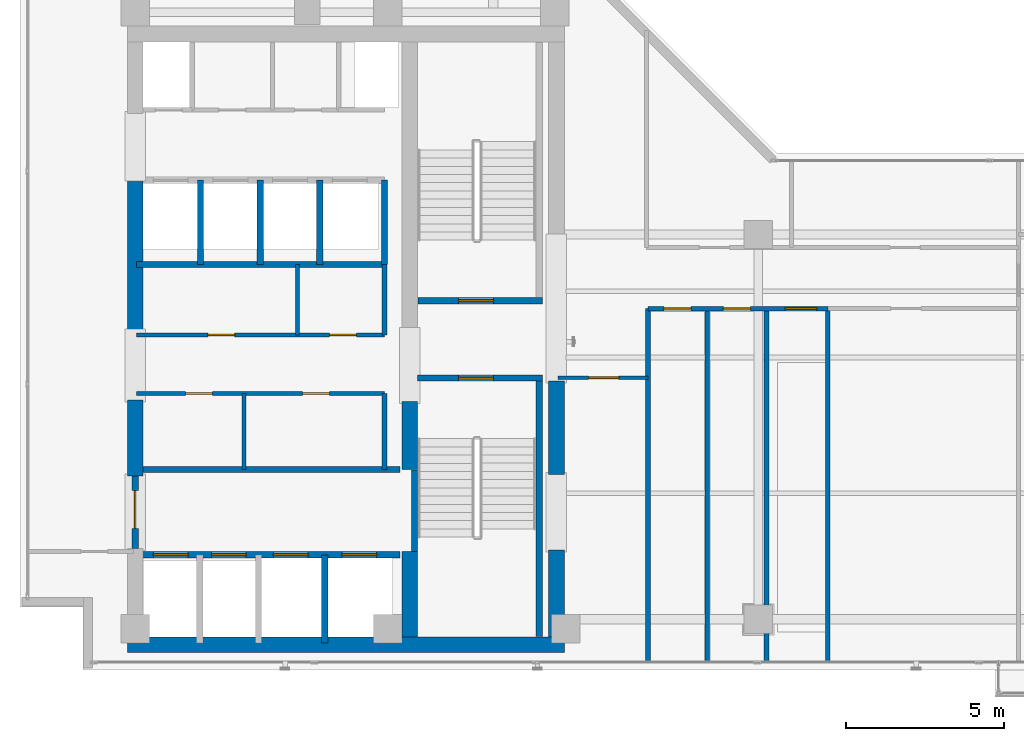
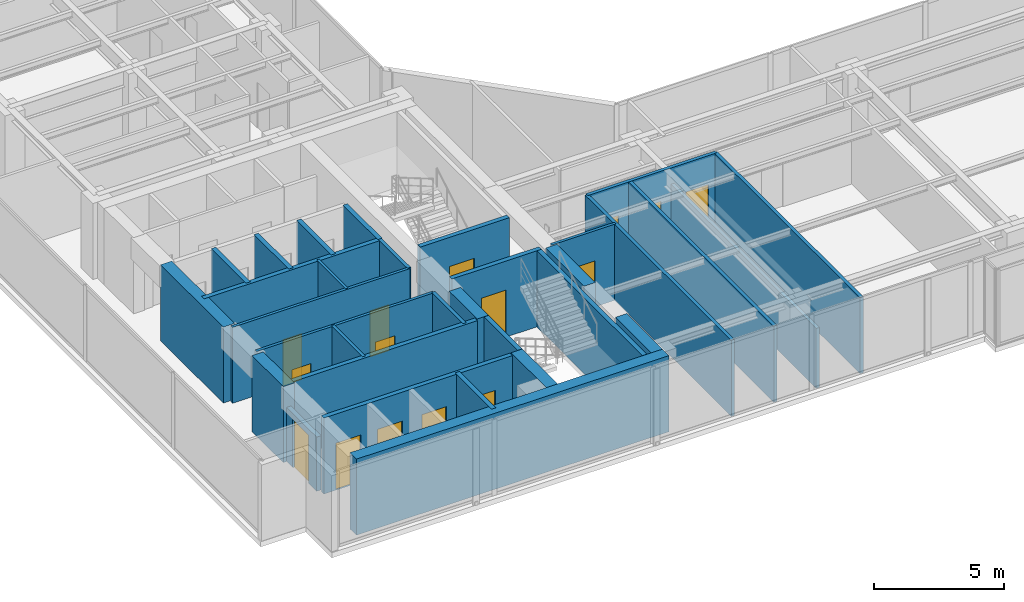
# One storey, part 17 of 23: 32 walls, 15 doors, 15 openings.
"""IFC4 building model written with IfcOpenShell, lengths in metres."""

from ifc_helpers import new_model, si_unit, direction, frame, frame_2d, origin, place, context, subcontext, project, spatial, rectangle, extrude, material, layer, layer_set, type_object, element, fill, save


model = new_model("IFC4")

# Units and contexts
model_context = context("Model", 3, precision=1e-05, world=origin(), true_north=direction((0.0, 1.0)))
body_context = subcontext(model_context, "Body", "Model", "MODEL_VIEW")
ifc_project = project(units=[si_unit("LENGTHUNIT", "METRE"), si_unit("AREAUNIT", "SQUARE_METRE"), si_unit("VOLUMEUNIT", "CUBIC_METRE"), si_unit("PLANEANGLEUNIT", "RADIAN"), si_unit("MASSUNIT", "GRAM", prefix="KILO")], contexts=[model_context])

# Site, building, storey
site_placement = place(None, origin())
site = spatial("IfcSite", under=ifc_project, at=site_placement, CompositionType="ELEMENT")
building_placement = place(site_placement, origin())
building = spatial("IfcBuilding", under=site, at=building_placement, Name="Kolvaren Waterfront Exchange", CompositionType="ELEMENT")
storey_placement = place(building_placement, frame((0.0, 0.0, 270.39990234375)))
storey = spatial("IfcBuildingStorey", under=building, at=storey_placement, Name="L69", CompositionType="ELEMENT", Elevation=270.39990234375)

# Wall, opening, door
ifc_material_1 = material(Name="Precast concrete C40/50", Category="concrete")
ifc_layer_1 = layer(ifc_material_1, 0.199951171875, Name="Precast concrete C40/50")
ifc_layer_set_1 = layer_set([ifc_layer_1], Name="Precast concrete C40/50")
wall_type_1 = type_object("IfcWallType", Name="ARC-FIRE-200", PredefinedType="PARTITIONING", material=ifc_layer_set_1)
wall_1_placement = place(storey_placement, frame((16.39990234375, 12.85009765625, 0.0), z_axis=(0.0, 0.0, 1.0), x_axis=(1.0, 0.0, 0.0)))
wall_1 = element("IfcWall", 1, at=wall_1_placement, inside=storey, type_object=wall_type_1, Name="L69 interior wall PW-L69-ST1-THROAT-S", PredefinedType="PARTITIONING", context=body_context, shape_type="SweptSolid", body=[
    extrude(rectangle(XDim=3.960205078125, YDim=0.199951171875, at=frame_2d((1.97998046875, 0.0))), origin(), (0.0, 0.0, 1.0), 3.56005859375),
])
opening_1_placement = place(wall_1_placement, frame((1.3037109375, 0.0, 0.0)))
opening_1 = element("IfcOpeningElement", 2, at=opening_1_placement, cuts=wall_1, Name="Opening FD2", PredefinedType="OPENING", context=body_context, shape_type="SweptSolid", body=[
    extrude(rectangle(XDim=1.10009765625, YDim=2.199951171875, at=frame_2d((0.550048828125, 1.10009765625))), frame((0.0, 0.10986328125, 0.0), z_axis=(0.0, -1.0, 0.0), x_axis=(1.0, 0.0, 0.0)), (0.0, 0.0, 1.0), 0.219970703125),
])
ifc_material_2 = material(Name="Pressed steel smoke-seal fire door", Category="steel")
door_type_1 = type_object("IfcDoorType", Name="ARC-FD-1100", OperationType="NOTDEFINED", PredefinedType="DOOR", material=ifc_material_2)
door_1_placement = place(opening_1_placement, frame((1.10009765625, 0.0, 0.0), z_axis=(0.0, 0.0, 1.0), x_axis=(-1.0, 0.0, 0.0)))
door_1 = element("IfcDoor", 3, at=door_1_placement, inside=storey, type_object=door_type_1, Name="L69 door DR-L69-ST1-IN (FD2)", OperationType="SINGLE_SWING_LEFT", OverallHeight=2.199951171875, OverallWidth=1.10009765625, PredefinedType="DOOR", context=body_context, shape_type="SweptSolid", body=[
    extrude(rectangle(XDim=1.10009765625, YDim=2.199951171875, at=frame_2d((0.550048828125, 1.10009765625))), frame((0.0, 0.02490234375, 0.0), z_axis=(0.0, -1.0, 0.0), x_axis=(1.0, 0.0, 0.0)), (0.0, 0.0, 1.0), 0.050048828125),
])
fill(opening_1, door_1)

wall_2_placement = place(storey_placement, frame((16.409912109375, 15.300048828125, 0.0), z_axis=(0.0, 0.0, 1.0), x_axis=(1.0, 0.0, 0.0)))
wall_2 = element("IfcWall", 4, at=wall_2_placement, inside=storey, type_object=wall_type_1, Name="L69 interior wall PW-L69-ST2-THROAT-N", PredefinedType="PARTITIONING", context=body_context, shape_type="SweptSolid", body=[
    extrude(rectangle(XDim=3.9501953125, YDim=0.199951171875, at=frame_2d((1.97509765625, 0.0))), origin(), (0.0, 0.0, 1.0), 3.56005859375),
])
opening_2_placement = place(wall_2_placement, frame((1.293701171875, 0.0, 0.0)))
opening_2 = element("IfcOpeningElement", 5, at=opening_2_placement, cuts=wall_2, Name="Opening FD2", PredefinedType="OPENING", context=body_context, shape_type="SweptSolid", body=[
    extrude(rectangle(XDim=1.10009765625, YDim=2.199951171875, at=frame_2d((0.550048828125, 1.10009765625))), frame((0.0, 0.10986328125, 0.0), z_axis=(0.0, -1.0, 0.0), x_axis=(1.0, 0.0, 0.0)), (0.0, 0.0, 1.0), 0.219970703125),
])
door_2_placement = place(opening_2_placement, origin())
door_2 = element("IfcDoor", 6, at=door_2_placement, inside=storey, type_object=door_type_1, Name="L69 door DR-L69-ST2-IN (FD2)", OperationType="SINGLE_SWING_RIGHT", OverallHeight=2.199951171875, OverallWidth=1.10009765625, PredefinedType="DOOR", context=body_context, shape_type="SweptSolid", body=[
    extrude(rectangle(XDim=1.10009765625, YDim=2.199951171875, at=frame_2d((0.550048828125, 1.10009765625))), frame((0.0, 0.02490234375, 0.0), z_axis=(0.0, -1.0, 0.0), x_axis=(1.0, 0.0, 0.0)), (0.0, 0.0, 1.0), 0.050048828125),
])
fill(opening_2, door_2)

# Wall
wall_3_placement = place(storey_placement, frame((7.5, 9.949951171875, 0.0), z_axis=(0.0, 0.0, 1.0), x_axis=(1.0, 0.0, 0.0)))
element("IfcWall", 7, at=wall_3_placement, inside=storey, type_object=wall_type_1, Name="L69 interior wall PW-L69-FF-N", PredefinedType="PARTITIONING", context=body_context, shape_type="SweptSolid", body=[
    extrude(rectangle(XDim=8.35009765625, YDim=0.199951171875, at=frame_2d((4.175048828125, 0.0))), origin(), (0.0, 0.0, 1.0), 3.56005859375),
])

# Wall, opening, door
wall_4_placement = place(storey_placement, frame((7.449951171875, 7.449951171875, 0.0), z_axis=(0.0, 0.0, 1.0), x_axis=(0.0, 1.0, 0.0)))
wall_4 = element("IfcWall", 8, at=wall_4_placement, inside=storey, type_object=wall_type_1, Name="L69 interior wall PW-L69-FF-W-DOOR", PredefinedType="PARTITIONING", context=body_context, shape_type="SweptSolid", body=[
    extrude(rectangle(XDim=2.300048828125, YDim=0.199951171875, at=frame_2d((1.14990234375, 0.0))), origin(), (0.0, 0.0, 1.0), 2.5400390625),
])
opening_3_placement = place(wall_4_placement, frame((0.63330078125, 0.0, 0.0)))
opening_3 = element("IfcOpeningElement", 9, at=opening_3_placement, cuts=wall_4, Name="Opening FD3", PredefinedType="OPENING", context=body_context, shape_type="SweptSolid", body=[
    extrude(rectangle(XDim=1.199951171875, YDim=2.25, at=frame_2d((0.60009765625, 1.125))), frame((0.0, 0.10986328125, 0.0), z_axis=(0.0, -1.0, 0.0), x_axis=(1.0, 0.0, 0.0)), (0.0, 0.0, 1.0), 0.219970703125),
])
ifc_material_3 = material(Name="Pressed steel fire door", Category="steel")
door_type_2 = type_object("IfcDoorType", Name="ARC-FD-1200", OperationType="NOTDEFINED", PredefinedType="DOOR", material=ifc_material_3)
door_3_placement = place(opening_3_placement, frame((1.199951171875, 0.0, 0.0), z_axis=(0.0, 0.0, 1.0), x_axis=(-1.0, 0.0, 0.0)))
door_3 = element("IfcDoor", 10, at=door_3_placement, inside=storey, type_object=door_type_2, Name="L69 door DR-L69-FF-OUT (FD3)", OperationType="SINGLE_SWING_LEFT", OverallHeight=2.25, OverallWidth=1.199951171875, PredefinedType="DOOR", context=body_context, shape_type="SweptSolid", body=[
    extrude(rectangle(XDim=1.199951171875, YDim=2.25, at=frame_2d((0.60009765625, 1.125))), frame((0.0, 0.02490234375, 0.0), z_axis=(0.0, -1.0, 0.0), x_axis=(1.0, 0.0, 0.0)), (0.0, 0.0, 1.0), 0.050048828125),
])
fill(opening_3, door_3)

# Wall, openings, doors
ifc_material_4 = material(Name="Acoustic gypsum steel stud", Category="steel")
ifc_layer_2 = layer(ifc_material_4, 0.125, Name="Acoustic gypsum steel stud")
ifc_layer_set_2 = layer_set([ifc_layer_2], Name="Acoustic gypsum steel stud")
wall_type_2 = type_object("IfcWallType", Name="ARC-PART-125", PredefinedType="PARTITIONING", material=ifc_layer_set_2)
wall_5_placement = place(storey_placement, frame((7.5, 12.360107421875, 0.0), z_axis=(0.0, 0.0, 1.0), x_axis=(1.0, 0.0, 0.0)))
wall_5 = element("IfcWall", 11, at=wall_5_placement, inside=storey, type_object=wall_type_2, Name="L69 interior wall PW-L69-REC-HI-S", PredefinedType="PARTITIONING", context=body_context, shape_type="SweptSolid", body=[
    extrude(rectangle(XDim=7.85009765625, YDim=0.125, at=frame_2d((3.925048828125, 0.0))), origin(), (0.0, 0.0, 1.0), 3.56005859375),
])
opening_4_placement = place(wall_5_placement, frame((1.550048828125, 0.0, 0.0)))
opening_4 = element("IfcOpeningElement", 12, at=opening_4_placement, cuts=wall_5, Name="Opening D01", PredefinedType="OPENING", context=body_context, shape_type="SweptSolid", body=[
    extrude(rectangle(XDim=0.85009765625, YDim=2.14990234375, at=frame_2d((0.425048828125, 1.074951171875))), frame((0.0, 0.072509765625, 0.0), z_axis=(0.0, -1.0, 0.0), x_axis=(1.0, 0.0, 0.0)), (0.0, 0.0, 1.0), 0.14501953125),
])
opening_5_placement = place(wall_5_placement, frame((5.2578125, 0.0, 0.0)))
opening_5 = element("IfcOpeningElement", 13, at=opening_5_placement, cuts=wall_5, Name="Opening D01", PredefinedType="OPENING", context=body_context, shape_type="SweptSolid", body=[
    extrude(rectangle(XDim=0.85009765625, YDim=2.14990234375, at=frame_2d((0.425048828125, 1.074951171875))), frame((0.0, 0.072509765625, 0.0), z_axis=(0.0, -1.0, 0.0), x_axis=(1.0, 0.0, 0.0)), (0.0, 0.0, 1.0), 0.14501953125),
])
ifc_material_5 = material(Name="Oak veneer timber leaf", Category="wood")
door_type_3 = type_object("IfcDoorType", Name="ARC-DR-900", OperationType="NOTDEFINED", PredefinedType="DOOR", material=ifc_material_5)
door_4_placement = place(opening_4_placement, origin())
door_4 = element("IfcDoor", 14, at=door_4_placement, inside=storey, type_object=door_type_3, Name="L69 door DR-L69-REC-HI-D1 (D01)", OperationType="SINGLE_SWING_RIGHT", OverallHeight=2.14990234375, OverallWidth=0.85009765625, PredefinedType="DOOR", context=body_context, shape_type="SweptSolid", body=[
    extrude(rectangle(XDim=0.85009765625, YDim=2.14990234375, at=frame_2d((0.425048828125, 1.074951171875))), frame((0.0, 0.02490234375, 0.0), z_axis=(0.0, -1.0, 0.0), x_axis=(1.0, 0.0, 0.0)), (0.0, 0.0, 1.0), 0.050048828125),
])
fill(opening_4, door_4)
door_5_placement = place(opening_5_placement, origin())
door_5 = element("IfcDoor", 15, at=door_5_placement, inside=storey, type_object=door_type_3, Name="L69 door DR-L69-REC-HI-D2 (D01)", OperationType="SINGLE_SWING_LEFT", OverallHeight=2.14990234375, OverallWidth=0.85009765625, PredefinedType="DOOR", context=body_context, shape_type="SweptSolid", body=[
    extrude(rectangle(XDim=0.85009765625, YDim=2.14990234375, at=frame_2d((0.425048828125, 1.074951171875))), frame((0.0, 0.02490234375, 0.0), z_axis=(0.0, -1.0, 0.0), x_axis=(1.0, 0.0, 0.0)), (0.0, 0.0, 1.0), 0.050048828125),
])
fill(opening_5, door_5)

wall_6_placement = place(storey_placement, frame((7.5, 14.219970703125, 0.0), z_axis=(0.0, 0.0, 1.0), x_axis=(1.0, 0.0, 0.0)))
wall_6 = element("IfcWall", 16, at=wall_6_placement, inside=storey, type_object=wall_type_2, Name="L69 interior wall PW-L69-REC-HI-N", PredefinedType="PARTITIONING", context=body_context, shape_type="SweptSolid", body=[
    extrude(rectangle(XDim=7.85009765625, YDim=0.125, at=frame_2d((3.925048828125, 0.0))), origin(), (0.0, 0.0, 1.0), 3.56005859375),
])
opening_6_placement = place(wall_6_placement, frame((2.25244140625, 0.0, 0.0)))
opening_6 = element("IfcOpeningElement", 17, at=opening_6_placement, cuts=wall_6, Name="Opening D01", PredefinedType="OPENING", context=body_context, shape_type="SweptSolid", body=[
    extrude(rectangle(XDim=0.85009765625, YDim=2.14990234375, at=frame_2d((0.425048828125, 1.074951171875))), frame((0.0, 0.072509765625, 0.0), z_axis=(0.0, -1.0, 0.0), x_axis=(1.0, 0.0, 0.0)), (0.0, 0.0, 1.0), 0.14501953125),
])
opening_7_placement = place(wall_6_placement, frame((6.111328125, 0.0, 0.0)))
opening_7 = element("IfcOpeningElement", 18, at=opening_7_placement, cuts=wall_6, Name="Opening D01", PredefinedType="OPENING", context=body_context, shape_type="SweptSolid", body=[
    extrude(rectangle(XDim=0.85009765625, YDim=2.14990234375, at=frame_2d((0.425048828125, 1.074951171875))), frame((0.0, 0.072509765625, 0.0), z_axis=(0.0, -1.0, 0.0), x_axis=(1.0, 0.0, 0.0)), (0.0, 0.0, 1.0), 0.14501953125),
])
door_6_placement = place(opening_6_placement, origin())
door_6 = element("IfcDoor", 19, at=door_6_placement, inside=storey, type_object=door_type_3, Name="L69 door DR-L69-REC-HI-D3 (D01)", OperationType="SINGLE_SWING_RIGHT", OverallHeight=2.14990234375, OverallWidth=0.85009765625, PredefinedType="DOOR", context=body_context, shape_type="SweptSolid", body=[
    extrude(rectangle(XDim=0.85009765625, YDim=2.14990234375, at=frame_2d((0.425048828125, 1.074951171875))), frame((0.0, 0.02490234375, 0.0), z_axis=(0.0, -1.0, 0.0), x_axis=(1.0, 0.0, 0.0)), (0.0, 0.0, 1.0), 0.050048828125),
])
fill(opening_6, door_6)
door_7_placement = place(opening_7_placement, origin())
door_7 = element("IfcDoor", 20, at=door_7_placement, inside=storey, type_object=door_type_3, Name="L69 door DR-L69-REC-HI-D4 (D01)", OperationType="SINGLE_SWING_LEFT", OverallHeight=2.14990234375, OverallWidth=0.85009765625, PredefinedType="DOOR", context=body_context, shape_type="SweptSolid", body=[
    extrude(rectangle(XDim=0.85009765625, YDim=2.14990234375, at=frame_2d((0.425048828125, 1.074951171875))), frame((0.0, 0.02490234375, 0.0), z_axis=(0.0, -1.0, 0.0), x_axis=(1.0, 0.0, 0.0)), (0.0, 0.0, 1.0), 0.050048828125),
])
fill(opening_7, door_7)

# Walls
wall_7_placement = place(storey_placement, frame((10.89990234375, 9.949951171875, 0.0), z_axis=(0.0, 0.0, 1.0), x_axis=(0.0, 1.0, 0.0)))
element("IfcWall", 21, at=wall_7_placement, inside=storey, type_object=wall_type_2, Name="L69 interior wall PW-L69-REC-HI-MS3", PredefinedType="PARTITIONING", context=body_context, shape_type="SweptSolid", body=[
    extrude(rectangle(XDim=2.41015625, YDim=0.125, at=frame_2d((1.205078125, 0.0))), origin(), (0.0, 0.0, 1.0), 3.56005859375),
])
wall_8_placement = place(storey_placement, frame((12.60009765625, 14.219970703125, 0.0), z_axis=(0.0, 0.0, 1.0), x_axis=(0.0, 1.0, 0.0)))
element("IfcWall", 22, at=wall_8_placement, inside=storey, type_object=wall_type_2, Name="L69 interior wall PW-L69-REC-HI-MN3", PredefinedType="PARTITIONING", context=body_context, shape_type="SweptSolid", body=[
    extrude(rectangle(XDim=2.22998046875, YDim=0.125, at=frame_2d((1.114990234375, 0.0))), origin(), (0.0, 0.0, 1.0), 3.56005859375),
])

# Wall, opening, door
wall_9_placement = place(storey_placement, frame((20.85009765625, 12.860107421875, 0.0), z_axis=(0.0, 0.0, 1.0), x_axis=(1.0, 0.0, 0.0)))
wall_9 = element("IfcWall", 23, at=wall_9_placement, inside=storey, type_object=wall_type_2, Name="L69 interior wall PW-L69-SWST3-N", PredefinedType="PARTITIONING", context=body_context, shape_type="SweptSolid", body=[
    extrude(rectangle(XDim=2.849853515625, YDim=0.125, at=frame_2d((1.4248046875, 0.0))), origin(), (0.0, 0.0, 1.0), 3.56005859375),
])
opening_8_placement = place(wall_9_placement, frame((0.971435546875, 0.0, 0.0)))
opening_8 = element("IfcOpeningElement", 24, at=opening_8_placement, cuts=wall_9, Name="Opening D02", PredefinedType="OPENING", context=body_context, shape_type="SweptSolid", body=[
    extrude(rectangle(XDim=0.949951171875, YDim=2.14990234375, at=frame_2d((0.47509765625, 1.074951171875))), frame((0.0, 0.072509765625, 0.0), z_axis=(0.0, -1.0, 0.0), x_axis=(1.0, 0.0, 0.0)), (0.0, 0.0, 1.0), 0.14501953125),
])
ifc_material_6 = material(Name="Oak veneer acoustic timber", Category="wood")
door_type_4 = type_object("IfcDoorType", Name="ARC-DR-950", OperationType="NOTDEFINED", PredefinedType="DOOR", material=ifc_material_6)
door_8_placement = place(opening_8_placement, origin())
door_8 = element("IfcDoor", 25, at=door_8_placement, inside=storey, type_object=door_type_4, Name="L69 door DR-L69-SWST3-D (D02)", OperationType="SINGLE_SWING_LEFT", OverallHeight=2.14990234375, OverallWidth=0.949951171875, PredefinedType="DOOR", context=body_context, shape_type="SweptSolid", body=[
    extrude(rectangle(XDim=0.949951171875, YDim=2.14990234375, at=frame_2d((0.47509765625, 1.074951171875))), frame((0.0, 0.02490234375, 0.0), z_axis=(0.0, -1.0, 0.0), x_axis=(1.0, 0.0, 0.0)), (0.0, 0.0, 1.0), 0.050048828125),
])
fill(opening_8, door_8)

# Walls
ifc_material_7 = material(Name="Gypsum fireboard steel stud", Category="steel")
ifc_layer_3 = layer(ifc_material_7, 0.14990234375, Name="Gypsum fireboard steel stud")
ifc_layer_set_3 = layer_set([ifc_layer_3], Name="Gypsum fireboard steel stud")
wall_type_3 = type_object("IfcWallType", Name="ARC-PART-150", PredefinedType="PARTITIONING", material=ifc_layer_set_3)
wall_10_placement = place(storey_placement, frame((15.35009765625, 9.949951171875, 0.0), z_axis=(0.0, 0.0, 1.0), x_axis=(0.0, 1.0, 0.0)))
element("IfcWall", 26, at=wall_10_placement, inside=storey, type_object=wall_type_3, Name="L69 interior wall PW-L69-REC-HI-E1", PredefinedType="PARTITIONING", context=body_context, shape_type="SweptSolid", body=[
    extrude(rectangle(XDim=2.41015625, YDim=0.14990234375, at=frame_2d((1.205078125, 0.0))), origin(), (0.0, 0.0, 1.0), 3.56005859375),
])
wall_11_placement = place(storey_placement, frame((15.35009765625, 14.219970703125, 0.0), z_axis=(0.0, 0.0, 1.0), x_axis=(0.0, 1.0, 0.0)))
element("IfcWall", 27, at=wall_11_placement, inside=storey, type_object=wall_type_3, Name="L69 interior wall PW-L69-REC-HI-E2", PredefinedType="PARTITIONING", context=body_context, shape_type="SweptSolid", body=[
    extrude(rectangle(XDim=2.22998046875, YDim=0.14990234375, at=frame_2d((1.114990234375, 0.0))), origin(), (0.0, 0.0, 1.0), 3.56005859375),
])
ifc_material_8 = material(Name="Moisture-resistant gypsum stud")
ifc_layer_4 = layer(ifc_material_8, 0.14990234375, Name="Moisture-resistant gypsum stud")
ifc_layer_set_4 = layer_set([ifc_layer_4], Name="Moisture-resistant gypsum stud")
wall_type_4 = type_object("IfcWallType", Name="ARC-PLUMB-150", PredefinedType="PLUMBINGWALL", material=ifc_layer_set_4)
wall_12_placement = place(storey_placement, frame((23.699951171875, 3.840087890625, 0.0), z_axis=(0.0, 0.0, 1.0), x_axis=(0.0, 1.0, 0.0)))
element("IfcWall", 28, at=wall_12_placement, inside=storey, type_object=wall_type_4, Name="L69 interior wall PW-L69-WC-0", PredefinedType="PLUMBINGWALL", context=body_context, shape_type="SweptSolid", body=[
    extrude(rectangle(XDim=11.2099609375, YDim=0.14990234375, at=frame_2d((5.60498046875, 0.0))), origin(), (0.0, 0.0, 1.0), 3.56005859375),
])

# Wall, openings, doors
wall_13_placement = place(storey_placement, frame((23.699951171875, 15.050048828125, 0.0), z_axis=(0.0, 0.0, 1.0), x_axis=(1.0, 0.0, 0.0)))
wall_13 = element("IfcWall", 29, at=wall_13_placement, inside=storey, type_object=wall_type_4, Name="L69 interior wall PW-L69-WC-N", PredefinedType="PLUMBINGWALL", context=body_context, shape_type="SweptSolid", body=[
    extrude(rectangle(XDim=5.699951171875, YDim=0.14990234375, at=frame_2d((2.85009765625, 0.0))), origin(), (0.0, 0.0, 1.0), 3.56005859375),
])
opening_9_placement = place(wall_13_placement, frame((0.514892578125, 0.0, 0.0)))
opening_9 = element("IfcOpeningElement", 30, at=opening_9_placement, cuts=wall_13, Name="Opening D01", PredefinedType="OPENING", context=body_context, shape_type="SweptSolid", body=[
    extrude(rectangle(XDim=0.85009765625, YDim=2.14990234375, at=frame_2d((0.425048828125, 1.074951171875))), frame((0.0, 0.0849609375, 0.0), z_axis=(0.0, -1.0, 0.0), x_axis=(1.0, 0.0, 0.0)), (0.0, 0.0, 1.0), 0.169921875),
])
opening_10_placement = place(wall_13_placement, frame((2.39501953125, 0.0, 0.0)))
opening_10 = element("IfcOpeningElement", 31, at=opening_10_placement, cuts=wall_13, Name="Opening D01", PredefinedType="OPENING", context=body_context, shape_type="SweptSolid", body=[
    extrude(rectangle(XDim=0.85009765625, YDim=2.14990234375, at=frame_2d((0.425048828125, 1.074951171875))), frame((0.0, 0.0849609375, 0.0), z_axis=(0.0, -1.0, 0.0), x_axis=(1.0, 0.0, 0.0)), (0.0, 0.0, 1.0), 0.169921875),
])
opening_11_placement = place(wall_13_placement, frame((4.35009765625, 0.0, 0.0)))
opening_11 = element("IfcOpeningElement", 32, at=opening_11_placement, cuts=wall_13, Name="Opening D03", PredefinedType="OPENING", context=body_context, shape_type="SweptSolid", body=[
    extrude(rectangle(XDim=1.0, YDim=2.199951171875, at=frame_2d((0.5, 1.10009765625))), frame((0.0, 0.0849609375, 0.0), z_axis=(0.0, -1.0, 0.0), x_axis=(1.0, 0.0, 0.0)), (0.0, 0.0, 1.0), 0.169921875),
])
ifc_material_9 = material(Name="Oak veneer accessible timber", Category="wood")
door_type_5 = type_object("IfcDoorType", Name="ARC-DR-1000", OperationType="NOTDEFINED", PredefinedType="DOOR", material=ifc_material_9)
door_9_placement = place(opening_11_placement, origin())
door_9 = element("IfcDoor", 33, at=door_9_placement, inside=storey, type_object=door_type_5, Name="L69 door DR-L69-WCA-D (D03)", OperationType="SINGLE_SWING_LEFT", OverallHeight=2.199951171875, OverallWidth=1.0, PredefinedType="DOOR", context=body_context, shape_type="SweptSolid", body=[
    extrude(rectangle(XDim=1.0, YDim=2.199951171875, at=frame_2d((0.5, 1.10009765625))), frame((0.0, 0.02490234375, 0.0), z_axis=(0.0, -1.0, 0.0), x_axis=(1.0, 0.0, 0.0)), (0.0, 0.0, 1.0), 0.050048828125),
])
fill(opening_11, door_9)
door_10_placement = place(opening_9_placement, origin())
door_10 = element("IfcDoor", 34, at=door_10_placement, inside=storey, type_object=door_type_3, Name="L69 door DR-L69-WCM-D (D01)", OperationType="SINGLE_SWING_LEFT", OverallHeight=2.14990234375, OverallWidth=0.85009765625, PredefinedType="DOOR", context=body_context, shape_type="SweptSolid", body=[
    extrude(rectangle(XDim=0.85009765625, YDim=2.14990234375, at=frame_2d((0.425048828125, 1.074951171875))), frame((0.0, 0.02490234375, 0.0), z_axis=(0.0, -1.0, 0.0), x_axis=(1.0, 0.0, 0.0)), (0.0, 0.0, 1.0), 0.050048828125),
])
fill(opening_9, door_10)
door_11_placement = place(opening_10_placement, origin())
door_11 = element("IfcDoor", 35, at=door_11_placement, inside=storey, type_object=door_type_3, Name="L69 door DR-L69-WCF-D (D01)", OperationType="SINGLE_SWING_RIGHT", OverallHeight=2.14990234375, OverallWidth=0.85009765625, PredefinedType="DOOR", context=body_context, shape_type="SweptSolid", body=[
    extrude(rectangle(XDim=0.85009765625, YDim=2.14990234375, at=frame_2d((0.425048828125, 1.074951171875))), frame((0.0, 0.02490234375, 0.0), z_axis=(0.0, -1.0, 0.0), x_axis=(1.0, 0.0, 0.0)), (0.0, 0.0, 1.0), 0.050048828125),
])
fill(opening_10, door_11)

# Walls
wall_14_placement = place(storey_placement, frame((25.580078125, 3.840087890625, 0.0), z_axis=(0.0, 0.0, 1.0), x_axis=(0.0, 1.0, 0.0)))
element("IfcWall", 36, at=wall_14_placement, inside=storey, type_object=wall_type_4, Name="L69 interior wall PW-L69-WC-1", PredefinedType="PLUMBINGWALL", context=body_context, shape_type="SweptSolid", body=[
    extrude(rectangle(XDim=11.2099609375, YDim=0.14990234375, at=frame_2d((5.60498046875, 0.0))), origin(), (0.0, 0.0, 1.0), 3.56005859375),
])
wall_15_placement = place(storey_placement, frame((27.4599609375, 3.840087890625, 0.0), z_axis=(0.0, 0.0, 1.0), x_axis=(0.0, 1.0, 0.0)))
element("IfcWall", 37, at=wall_15_placement, inside=storey, type_object=wall_type_4, Name="L69 interior wall PW-L69-WC-2", PredefinedType="PLUMBINGWALL", context=body_context, shape_type="SweptSolid", body=[
    extrude(rectangle(XDim=11.2099609375, YDim=0.14990234375, at=frame_2d((5.60498046875, 0.0))), origin(), (0.0, 0.0, 1.0), 2.798095703125),
])
wall_16_placement = place(storey_placement, frame((29.39990234375, 3.840087890625, 0.0), z_axis=(0.0, 0.0, 1.0), x_axis=(0.0, 1.0, 0.0)))
element("IfcWall", 38, at=wall_16_placement, inside=storey, type_object=wall_type_4, Name="L69 interior wall PW-L69-WC-3", PredefinedType="PLUMBINGWALL", context=body_context, shape_type="SweptSolid", body=[
    extrude(rectangle(XDim=11.2099609375, YDim=0.14990234375, at=frame_2d((5.60498046875, 0.0))), origin(), (0.0, 0.0, 1.0), 3.56005859375),
])
ifc_material_10 = material(Name="Concrete C40/50", Category="concrete")
ifc_layer_5 = layer(ifc_material_10, 0.199951171875, Name="Concrete C40/50")
ifc_layer_set_5 = layer_set([ifc_layer_5], Name="Concrete C40/50")
wall_type_5 = type_object("IfcWallType", Name="ARC-SHAFT-200", PredefinedType="PARTITIONING", material=ifc_layer_set_5)
wall_17_placement = place(storey_placement, frame((16.300048828125, 7.360107421875, 0.0), z_axis=(0.0, 0.0, 1.0), x_axis=(0.0, 1.0, 0.0)))
element("IfcWall", 39, at=wall_17_placement, inside=storey, type_object=wall_type_5, Name="L69 structural stairwell wall PW-L69-ST1-W", PredefinedType="SHEAR", context=body_context, shape_type="SweptSolid", body=[
    extrude(rectangle(XDim=2.579833984375, YDim=0.199951171875, at=frame_2d((1.2900390625, 0.0))), origin(), (0.0, 0.0, 1.0), 3.56005859375),
])
wall_18_placement = place(storey_placement, frame((20.260009765625, 4.659912109375, 0.0), z_axis=(0.0, 0.0, 1.0), x_axis=(0.0, 1.0, 0.0)))
element("IfcWall", 40, at=wall_18_placement, inside=storey, type_object=wall_type_5, Name="L69 structural stairwell wall PW-L69-ST1-E", PredefinedType="SHEAR", context=body_context, shape_type="SweptSolid", body=[
    extrude(rectangle(XDim=8.090087890625, YDim=0.199951171875, at=frame_2d((4.044921875, 0.0))), origin(), (0.0, 0.0, 1.0), 3.56005859375),
])

# Wall, openings, doors
wall_19_placement = place(storey_placement, frame((7.5, 7.25, 0.0), z_axis=(0.0, 0.0, 1.0), x_axis=(1.0, 0.0, 0.0)))
wall_19 = element("IfcWall", 41, at=wall_19_placement, inside=storey, type_object=wall_type_5, Name="L69 interior wall PW-L69-FF-S", PredefinedType="PARTITIONING", context=body_context, shape_type="SweptSolid", body=[
    extrude(rectangle(XDim=8.35009765625, YDim=0.199951171875, at=frame_2d((4.175048828125, 0.0))), origin(), (0.0, 0.0, 1.0), 3.56005859375),
])
opening_12_placement = place(wall_19_placement, frame((0.530029296875, 0.0, 0.0)))
opening_12 = element("IfcOpeningElement", 42, at=opening_12_placement, cuts=wall_19, Name="Opening LD1", PredefinedType="OPENING", context=body_context, shape_type="SweptSolid", body=[
    extrude(rectangle(XDim=1.10009765625, YDim=2.199951171875, at=frame_2d((0.550048828125, 1.10009765625))), frame((0.0, 0.10986328125, 0.0), z_axis=(0.0, -1.0, 0.0), x_axis=(1.0, 0.0, 0.0)), (0.0, 0.0, 1.0), 0.219970703125),
])
opening_13_placement = place(wall_19_placement, frame((2.3701171875, 0.0, 0.0)))
opening_13 = element("IfcOpeningElement", 43, at=opening_13_placement, cuts=wall_19, Name="Opening LD1", PredefinedType="OPENING", context=body_context, shape_type="SweptSolid", body=[
    extrude(rectangle(XDim=1.10009765625, YDim=2.199951171875, at=frame_2d((0.550048828125, 1.10009765625))), frame((0.0, 0.10986328125, 0.0), z_axis=(0.0, -1.0, 0.0), x_axis=(1.0, 0.0, 0.0)), (0.0, 0.0, 1.0), 0.219970703125),
])
opening_14_placement = place(wall_19_placement, frame((4.330078125, 0.0, 0.0)))
opening_14 = element("IfcOpeningElement", 44, at=opening_14_placement, cuts=wall_19, Name="Opening LD1", PredefinedType="OPENING", context=body_context, shape_type="SweptSolid", body=[
    extrude(rectangle(XDim=1.10009765625, YDim=2.199951171875, at=frame_2d((0.550048828125, 1.10009765625))), frame((0.0, 0.10986328125, 0.0), z_axis=(0.0, -1.0, 0.0), x_axis=(1.0, 0.0, 0.0)), (0.0, 0.0, 1.0), 0.219970703125),
])
opening_15_placement = place(wall_19_placement, frame((6.5, 0.0, 0.0)))
opening_15 = element("IfcOpeningElement", 45, at=opening_15_placement, cuts=wall_19, Name="Opening LD1", PredefinedType="OPENING", context=body_context, shape_type="SweptSolid", body=[
    extrude(rectangle(XDim=1.10009765625, YDim=2.199951171875, at=frame_2d((0.550048828125, 1.10009765625))), frame((0.0, 0.10986328125, 0.0), z_axis=(0.0, -1.0, 0.0), x_axis=(1.0, 0.0, 0.0)), (0.0, 0.0, 1.0), 0.219970703125),
])
ifc_material_11 = material(Name="Stainless steel sliding landing door", Category="steel")
door_type_6 = type_object("IfcDoorType", Name="ARC-LD-FF", OperationType="SLIDING_TO_LEFT", PredefinedType="DOOR", material=ifc_material_11)
door_12_placement = place(opening_12_placement, origin())
door_12 = element("IfcDoor", 46, at=door_12_placement, inside=storey, type_object=door_type_6, Name="L69 door LD-L69-FFL1 (LD1)", OperationType="SLIDING_TO_LEFT", OverallHeight=2.199951171875, OverallWidth=1.10009765625, PredefinedType="DOOR", context=body_context, shape_type="SweptSolid", body=[
    extrude(rectangle(XDim=1.10009765625, YDim=2.199951171875, at=frame_2d((0.550048828125, 1.10009765625))), frame((0.0, 0.02490234375, 0.0), z_axis=(0.0, -1.0, 0.0), x_axis=(1.0, 0.0, 0.0)), (0.0, 0.0, 1.0), 0.050048828125),
])
fill(opening_12, door_12)
door_13_placement = place(opening_13_placement, origin())
door_13 = element("IfcDoor", 47, at=door_13_placement, inside=storey, type_object=door_type_6, Name="L69 door LD-L69-FFL2 (LD1)", OperationType="SLIDING_TO_LEFT", OverallHeight=2.199951171875, OverallWidth=1.10009765625, PredefinedType="DOOR", context=body_context, shape_type="SweptSolid", body=[
    extrude(rectangle(XDim=1.10009765625, YDim=2.199951171875, at=frame_2d((0.550048828125, 1.10009765625))), frame((0.0, 0.02490234375, 0.0), z_axis=(0.0, -1.0, 0.0), x_axis=(1.0, 0.0, 0.0)), (0.0, 0.0, 1.0), 0.050048828125),
])
fill(opening_13, door_13)
door_14_placement = place(opening_14_placement, origin())
door_14 = element("IfcDoor", 48, at=door_14_placement, inside=storey, type_object=door_type_6, Name="L69 door LD-L69-GL1 (LD1)", OperationType="SLIDING_TO_LEFT", OverallHeight=2.199951171875, OverallWidth=1.10009765625, PredefinedType="DOOR", context=body_context, shape_type="SweptSolid", body=[
    extrude(rectangle(XDim=1.10009765625, YDim=2.199951171875, at=frame_2d((0.550048828125, 1.10009765625))), frame((0.0, 0.02490234375, 0.0), z_axis=(0.0, -1.0, 0.0), x_axis=(1.0, 0.0, 0.0)), (0.0, 0.0, 1.0), 0.050048828125),
])
fill(opening_14, door_14)
door_15_placement = place(opening_15_placement, origin())
door_15 = element("IfcDoor", 49, at=door_15_placement, inside=storey, type_object=door_type_6, Name="L69 door LD-L69-GL2 (LD1)", OperationType="SLIDING_TO_LEFT", OverallHeight=2.199951171875, OverallWidth=1.10009765625, PredefinedType="DOOR", context=body_context, shape_type="SweptSolid", body=[
    extrude(rectangle(XDim=1.10009765625, YDim=2.199951171875, at=frame_2d((0.550048828125, 1.10009765625))), frame((0.0, 0.02490234375, 0.0), z_axis=(0.0, -1.0, 0.0), x_axis=(1.0, 0.0, 0.0)), (0.0, 0.0, 1.0), 0.050048828125),
])
fill(opening_15, door_15)

# Walls
wall_20_placement = place(storey_placement, frame((13.4599609375, 4.449951171875, 0.0), z_axis=(0.0, 0.0, 1.0), x_axis=(0.0, 1.0, 0.0)))
element("IfcWall", 50, at=wall_20_placement, inside=storey, type_object=wall_type_5, Name="L69 interior wall PW-L69-SH1-DIV-134", PredefinedType="PARTITIONING", context=body_context, shape_type="SweptSolid", body=[
    extrude(rectangle(XDim=2.800048828125, YDim=0.199951171875, at=frame_2d((1.39990234375, 0.0))), origin(), (0.0, 0.0, 1.0), 3.56005859375),
])
wall_21_placement = place(storey_placement, frame((7.5, 16.449951171875, 0.0), z_axis=(0.0, 0.0, 1.0), x_axis=(1.0, 0.0, 0.0)))
element("IfcWall", 51, at=wall_21_placement, inside=storey, type_object=wall_type_5, Name="L69 interior wall PW-L69-REC-PM-N", PredefinedType="PARTITIONING", context=body_context, shape_type="SweptSolid", body=[
    extrude(rectangle(XDim=7.85009765625, YDim=0.199951171875, at=frame_2d((3.925048828125, 0.0))), origin(), (0.0, 0.0, 1.0), 3.56005859375),
])
for number, where, z_axis, x_axis, name in (
    (52, (15.35009765625, 16.449951171875, 0.0), (0.0, 0.0, 1.0), (0.0, 1.0, 0.0), "L69 interior wall PW-L69-PH-E"),
    (53, (9.52001953125, 16.449951171875, 0.0), (0.0, 0.0, 1.0), (0.0, 1.0, 0.0), "L69 interior wall PW-L69-SH4-DIV-95"),
    (54, (11.409912109375, 16.449951171875, 0.0), (0.0, 0.0, 1.0), (0.0, 1.0, 0.0), "L69 interior wall PW-L69-SH4-DIV-114"),
    (55, (13.300048828125, 16.449951171875, 0.0), (0.0, 0.0, 1.0), (0.0, 1.0, 0.0), "L69 interior wall PW-L69-SH4-DIV-133"),
):
    element("IfcWall", number, at=place(storey_placement, frame(where, z_axis=z_axis, x_axis=x_axis)), inside=storey, type_object=wall_type_5, Name=name, PredefinedType="PARTITIONING", context=body_context, shape_type="SweptSolid", body=[
        extrude(rectangle(XDim=2.670166015625, YDim=0.199951171875, at=frame_2d((1.3349609375, 0.0))), origin(), (0.0, 0.0, 1.0), 3.56005859375),
    ])
ifc_material_12 = material(Name="Concrete C50/60", Category="concrete")
ifc_layer_6 = layer(ifc_material_12, 0.5, Name="Concrete C50/60")
ifc_layer_set_6 = layer_set([ifc_layer_6], Name="Concrete C50/60")
wall_type_6 = type_object("IfcWallType", Name="STR-CWALL-500", PredefinedType="SHEAR", material=ifc_layer_set_6)
wall_22_placement = place(storey_placement, frame((7.199951171875, 4.39990234375, 0.0), z_axis=(0.0, 0.0, 1.0), x_axis=(1.0, 0.0, 0.0)))
element("IfcWall", 56, at=wall_22_placement, inside=storey, type_object=wall_type_6, Name="L69 rear-core shear wall S", PredefinedType="SHEAR", context=body_context, shape_type="SweptSolid", body=[
    extrude(rectangle(XDim=13.85009765625, YDim=0.5, at=frame_2d((6.925048828125, 0.0))), origin(), (0.0, 0.0, 1.0), 3.56005859375),
])
wall_23_placement = place(storey_placement, frame((7.449951171875, 9.75, 0.0), z_axis=(0.0, 0.0, 1.0), x_axis=(0.0, 1.0, 0.0)))
element("IfcWall", 57, at=wall_23_placement, inside=storey, type_object=wall_type_6, Name="L69 rear-core shear wall W2A", PredefinedType="SHEAR", context=body_context, shape_type="SweptSolid", body=[
    extrude(rectangle(XDim=2.39990234375, YDim=0.5, at=frame_2d((1.199951171875, 0.0))), origin(), (0.0, 0.0, 1.0), 3.56005859375),
])
wall_24_placement = place(storey_placement, frame((7.449951171875, 14.35009765625, 0.0), z_axis=(0.0, 0.0, 1.0), x_axis=(0.0, 1.0, 0.0)))
element("IfcWall", 58, at=wall_24_placement, inside=storey, type_object=wall_type_6, Name="L69 rear-core shear wall W2B", PredefinedType="SHEAR", context=body_context, shape_type="SweptSolid", body=[
    extrude(rectangle(XDim=4.809814453125, YDim=0.5, at=frame_2d((2.40478515625, 0.0))), origin(), (0.0, 0.0, 1.0), 3.56005859375),
])
wall_25_placement = place(storey_placement, frame((20.800048828125, 4.64990234375, 0.0), z_axis=(0.0, 0.0, 1.0), x_axis=(0.0, 1.0, 0.0)))
element("IfcWall", 59, at=wall_25_placement, inside=storey, type_object=wall_type_6, Name="L69 rear-core shear wall E1", PredefinedType="SHEAR", context=body_context, shape_type="SweptSolid", body=[
    extrude(rectangle(XDim=2.75, YDim=0.5, at=frame_2d((1.375, 0.0))), origin(), (0.0, 0.0, 1.0), 3.56005859375),
])
wall_26_placement = place(storey_placement, frame((20.800048828125, 9.800048828125, 0.0), z_axis=(0.0, 0.0, 1.0), x_axis=(0.0, 1.0, 0.0)))
element("IfcWall", 60, at=wall_26_placement, inside=storey, type_object=wall_type_6, Name="L69 rear-core shear wall E2", PredefinedType="SHEAR", context=body_context, shape_type="SweptSolid", body=[
    extrude(rectangle(XDim=2.949951171875, YDim=0.5, at=frame_2d((1.47509765625, 0.0))), origin(), (0.0, 0.0, 1.0), 3.56005859375),
])
wall_27_placement = place(storey_placement, frame((16.14990234375, 4.64990234375, 0.0), z_axis=(0.0, 0.0, 1.0), x_axis=(0.0, 1.0, 0.0)))
element("IfcWall", 61, at=wall_27_placement, inside=storey, type_object=wall_type_6, Name="L69 rear-core shear wall M1", PredefinedType="SHEAR", context=body_context, shape_type="SweptSolid", body=[
    extrude(rectangle(XDim=2.7001953125, YDim=0.5, at=frame_2d((1.35009765625, 0.0))), origin(), (0.0, 0.0, 1.0), 3.56005859375),
])
wall_28_placement = place(storey_placement, frame((16.14990234375, 9.949951171875, 0.0), z_axis=(0.0, 0.0, 1.0), x_axis=(0.0, 1.0, 0.0)))
element("IfcWall", 62, at=wall_28_placement, inside=storey, type_object=wall_type_6, Name="L69 rear-core shear wall M2", PredefinedType="SHEAR", context=body_context, shape_type="SweptSolid", body=[
    extrude(rectangle(XDim=2.150146484375, YDim=0.5, at=frame_2d((1.0751953125, 0.0))), origin(), (0.0, 0.0, 1.0), 3.56005859375),
])

save(model, "model.ifc")
